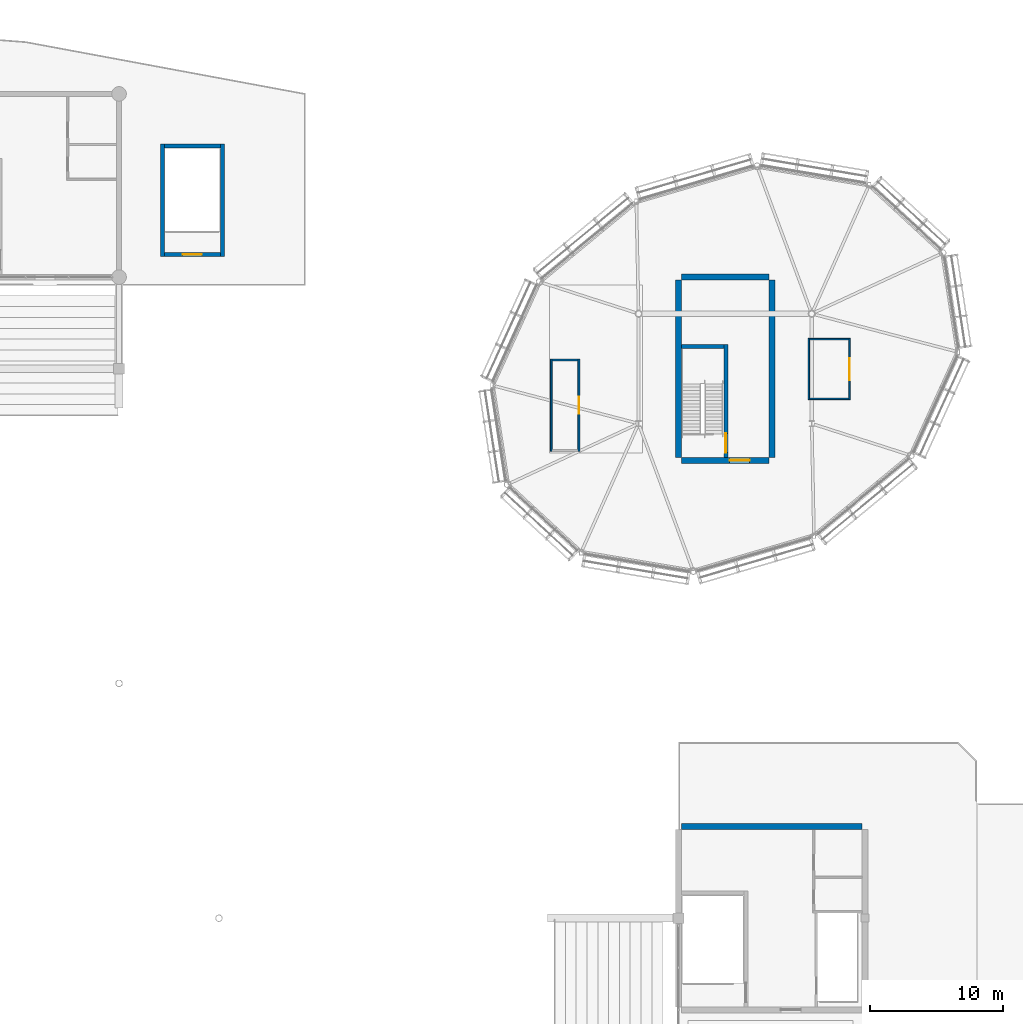
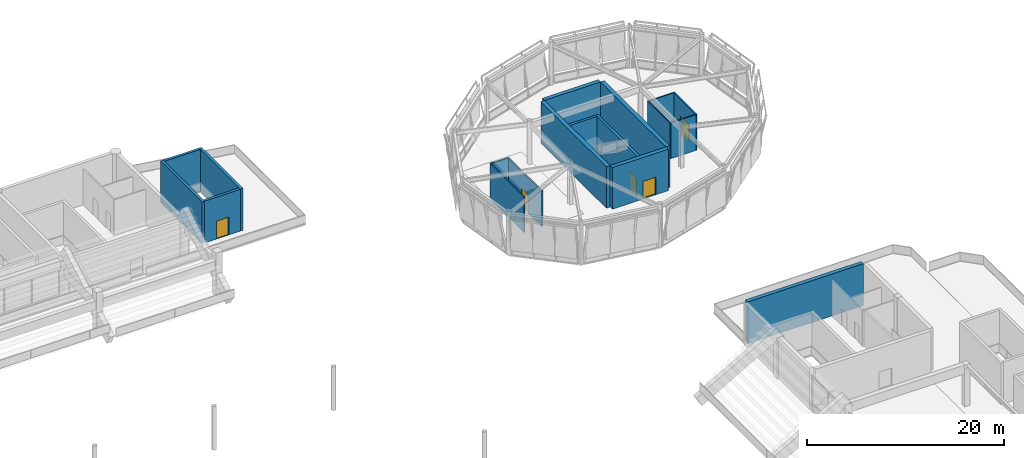
# One storey, part 78 of 90: 18 walls, 5 doors, 5 openings.
"""IFC4 building model written with IfcOpenShell, lengths in metres."""

from ifc_helpers import new_model, si_unit, direction, frame, frame_2d, origin, place, context, subcontext, project, spatial, rectangle, extrude, material, layer, layer_set, type_object, element, fill, save


model = new_model("IFC4")

# Units and contexts
model_context = context("Model", 3, precision=1e-05, world=origin(), true_north=direction((0.0, 1.0)))
body_context = subcontext(model_context, "Body", "Model", "MODEL_VIEW")
ifc_project = project(units=[si_unit("LENGTHUNIT", "METRE"), si_unit("AREAUNIT", "SQUARE_METRE"), si_unit("VOLUMEUNIT", "CUBIC_METRE"), si_unit("PLANEANGLEUNIT", "RADIAN"), si_unit("MASSUNIT", "GRAM", prefix="KILO")], contexts=[model_context])

# Site, building, storey
site_placement = place(None, origin())
site = spatial("IfcSite", under=ifc_project, at=site_placement, CompositionType="ELEMENT")
building_placement = place(site_placement, origin())
building = spatial("IfcBuilding", under=site, at=building_placement, Name="Linyun Crest Stadium", CompositionType="ELEMENT")
storey_placement = place(building_placement, frame((0.0, 0.0, 21.0)))
storey = spatial("IfcBuildingStorey", under=building, at=storey_placement, Name="L05", CompositionType="ELEMENT", Elevation=21.0)

# Walls
ifc_material_1 = material(Name="Concrete C50", Category="concrete")
ifc_layer_1 = layer(ifc_material_1, 0.449951171875)
ifc_layer_set_1 = layer_set([ifc_layer_1], Name="Concrete C50")
wall_type_1 = type_object("IfcWallType", Name="CW03", PredefinedType="SHEAR", material=ifc_layer_set_1)
wall_1_placement = place(storey_placement, frame((70.22509765625, 50.25, 0.0), z_axis=(0.0, 0.0, 1.0), x_axis=(1.0, 0.0, 0.0)))
element("IfcWall", 1, at=wall_1_placement, inside=storey, type_object=wall_type_1, Name="Core shear wall CW03 CORE-E3 L05.4", PredefinedType="SHEAR", context=body_context, shape_type="SweptSolid", body=[
    extrude(rectangle(XDim=13.5498046875, YDim=0.449951171875, at=frame_2d((6.77490234375, 0.0))), origin(), (0.0, 0.0, 1.0), 5.18505859375),
])
for number, where, z_axis, x_axis, name in (
    (2, (70.0, 77.97509765625, 0.0), (0.0, 0.0, 1.0), (0.0, 1.0, 0.0), "Core shear wall CW03 CORE-PNE L05.1"),
    (3, (77.0, 77.97509765625, 0.0), (0.0, 0.0, 1.0), (0.0, 1.0, 0.0), "Core shear wall CW03 CORE-PNE L05.2"),
):
    element("IfcWall", number, at=place(storey_placement, frame(where, z_axis=z_axis, x_axis=x_axis)), inside=storey, type_object=wall_type_1, Name=name, PredefinedType="SHEAR", context=body_context, shape_type="SweptSolid", body=[
        extrude(rectangle(XDim=13.2998046875, YDim=0.449951171875, at=frame_2d((6.64990234375, 0.0))), origin(), (0.0, 0.0, 1.0), 5.14990234375),
    ])

# Wall, opening, door
wall_2_placement = place(storey_placement, frame((70.22509765625, 77.75, 0.0), z_axis=(0.0, 0.0, 1.0), x_axis=(1.0, 0.0, 0.0)))
wall_2 = element("IfcWall", 4, at=wall_2_placement, inside=storey, type_object=wall_type_1, Name="Core shear wall CW03 CORE-PNE L05.3", PredefinedType="SHEAR", context=body_context, shape_type="SweptSolid", body=[
    extrude(rectangle(XDim=6.5498046875, YDim=0.449951171875, at=frame_2d((3.27490234375, 0.0))), origin(), (0.0, 0.0, 1.0), 5.14990234375),
])
opening_1_placement = place(wall_2_placement, frame((3.60302734375, 0.0, 0.0)))
opening_1 = element("IfcOpeningElement", 5, at=opening_1_placement, cuts=wall_2, Name="Opening D-L05-397", PredefinedType="OPENING", context=body_context, shape_type="SweptSolid", body=[
    extrude(rectangle(XDim=1.5, YDim=2.199951171875, at=frame_2d((0.75, 1.10009765625))), frame((0.0, 0.23486328125, 0.0), z_axis=(0.0, -1.0, 0.0), x_axis=(1.0, 0.0, 0.0)), (0.0, 0.0, 1.0), 0.469970703125),
])
ifc_material_2 = material(Name="Galvanized steel Class A fire door", Category="steel")
ifc_layer_2 = layer(ifc_material_2, 0.054931640625)
ifc_layer_set_2 = layer_set([ifc_layer_2], Name="Galvanized steel Class A fire door")
door_type_1 = type_object("IfcDoorType", Name="FD01", OperationType="NOTDEFINED", PredefinedType="DOOR", material=ifc_layer_set_2)
door_1_placement = place(opening_1_placement, origin())
door_1 = element("IfcDoor", 6, at=door_1_placement, inside=storey, type_object=door_type_1, Name="Door D-L05-397", OperationType="SINGLE_SWING_LEFT", OverallHeight=2.199951171875, OverallWidth=1.5, PredefinedType="DOOR", context=body_context, shape_type="SweptSolid", body=[
    extrude(rectangle(XDim=1.5, YDim=2.199951171875, at=frame_2d((0.75, 1.10009765625))), frame((0.0, 0.02490234375, 0.0), z_axis=(0.0, -1.0, 0.0), x_axis=(1.0, 0.0, 0.0)), (0.0, 0.0, 1.0), 0.050048828125),
])
fill(opening_1, door_1)

# Wall
wall_3_placement = place(storey_placement, frame((70.22509765625, 91.5, 0.0), z_axis=(0.0, 0.0, 1.0), x_axis=(1.0, 0.0, 0.0)))
element("IfcWall", 7, at=wall_3_placement, inside=storey, type_object=wall_type_1, Name="Core shear wall CW03 CORE-PNE L05.4", PredefinedType="SHEAR", context=body_context, shape_type="SweptSolid", body=[
    extrude(rectangle(XDim=6.5498046875, YDim=0.449951171875, at=frame_2d((3.27490234375, 0.0))), origin(), (0.0, 0.0, 1.0), 5.14990234375),
])

# Wall, opening, door
ifc_material_3 = material(Name="Impact-resistant community sports hall lining")
ifc_layer_3 = layer(ifc_material_3, 0.135009765625)
ifc_layer_set_3 = layer_set([ifc_layer_3], Name="Impact-resistant community sports hall lining")
wall_type_2 = type_object("IfcWallType", Name="PW19", PredefinedType="PARTITIONING", material=ifc_layer_set_3)
wall_4_placement = place(storey_placement, frame((62.52001953125, 85.342041015625, 0.0), z_axis=(0.0, 0.0, 1.0), x_axis=(0.0, -1.0, 0.0)))
wall_4 = element("IfcWall", 8, at=wall_4_placement, inside=storey, type_object=wall_type_2, Name="Partition PW19 L05 238", PredefinedType="PARTITIONING", context=body_context, shape_type="SweptSolid", body=[
    extrude(rectangle(XDim=6.919921875, YDim=0.135009765625, at=frame_2d((3.4599609375, 0.0))), origin(), (0.0, 0.0, 1.0), 4.419921875),
])
opening_2_placement = place(wall_4_placement, frame((2.81005859375, 0.0, 0.0)))
opening_2 = element("IfcOpeningElement", 9, at=opening_2_placement, cuts=wall_4, Name="Opening D-L05-501", PredefinedType="OPENING", context=body_context, shape_type="SweptSolid", body=[
    extrude(rectangle(XDim=1.300048828125, YDim=2.300048828125, at=frame_2d((0.64990234375, 1.14990234375))), frame((0.0, 0.077392578125, 0.0), z_axis=(0.0, -1.0, 0.0), x_axis=(1.0, 0.0, 0.0)), (0.0, 0.0, 1.0), 0.155029296875),
])
ifc_material_4 = material(Name="High-STC acoustic steel studio door", Category="steel")
ifc_layer_4 = layer(ifc_material_4, 0.06494140625)
ifc_layer_set_4 = layer_set([ifc_layer_4], Name="High-STC acoustic steel studio door")
door_type_2 = type_object("IfcDoorType", Name="ID08", OperationType="NOTDEFINED", PredefinedType="DOOR", material=ifc_layer_set_4)
door_2_placement = place(opening_2_placement, origin())
door_2 = element("IfcDoor", 10, at=door_2_placement, inside=storey, type_object=door_type_2, Name="Door D-L05-501", OperationType="SINGLE_SWING_LEFT", OverallHeight=2.300048828125, OverallWidth=1.300048828125, PredefinedType="DOOR", context=body_context, shape_type="SweptSolid", body=[
    extrude(rectangle(XDim=1.300048828125, YDim=2.300048828125, at=frame_2d((0.64990234375, 1.14990234375))), frame((0.0, 0.02490234375, 0.0), z_axis=(0.0, -1.0, 0.0), x_axis=(1.0, 0.0, 0.0)), (0.0, 0.0, 1.0), 0.050048828125),
])
fill(opening_2, door_2)

# Walls
wall_5_placement = place(storey_placement, frame((60.43994140625, 78.422119140625, 0.0), z_axis=(0.0, 0.0, 1.0), x_axis=(0.0, 1.0, 0.0)))
element("IfcWall", 11, at=wall_5_placement, inside=storey, type_object=wall_type_2, Name="Enclosure partition PW19 L05 430", PredefinedType="PARTITIONING", context=body_context, shape_type="SweptSolid", body=[
    extrude(rectangle(XDim=6.919921875, YDim=0.135009765625, at=frame_2d((3.4599609375, 0.0))), origin(), (0.0, 0.0, 1.0), 4.419921875),
])
wall_6_placement = place(storey_placement, frame((60.508056640625, 85.27392578125, 0.0), z_axis=(0.0, 0.0, 1.0), x_axis=(1.0, 0.0, 0.0)))
element("IfcWall", 12, at=wall_6_placement, inside=storey, type_object=wall_type_2, Name="Enclosure partition PW19 L05 432", PredefinedType="PARTITIONING", context=body_context, shape_type="SweptSolid", body=[
    extrude(rectangle(XDim=1.94384765625, YDim=0.135009765625, at=frame_2d((0.971923828125, 0.0))), origin(), (0.0, 0.0, 1.0), 4.419921875),
])

# Wall, opening, door
ifc_material_5 = material(Name="Glazed hospitality salon screen partition")
ifc_layer_5 = layer(ifc_material_5, 0.114990234375)
ifc_layer_set_5 = layer_set([ifc_layer_5], Name="Glazed hospitality salon screen partition")
wall_type_3 = type_object("IfcWallType", Name="PW21", PredefinedType="PARTITIONING", material=ifc_layer_set_5)
wall_7_placement = place(storey_placement, frame((82.845947265625, 86.89990234375, 0.0), z_axis=(0.0, 0.0, 1.0), x_axis=(0.0, -1.0, 0.0)))
wall_7 = element("IfcWall", 13, at=wall_7_placement, inside=storey, type_object=wall_type_3, Name="Partition PW21 L05 239", PredefinedType="PARTITIONING", context=body_context, shape_type="SweptSolid", body=[
    extrude(rectangle(XDim=4.599853515625, YDim=0.114990234375, at=frame_2d((2.2998046875, 0.0))), origin(), (0.0, 0.0, 1.0), 4.419921875),
])
opening_3_placement = place(wall_7_placement, frame((1.47509765625, 0.0, 0.0)))
opening_3 = element("IfcOpeningElement", 14, at=opening_3_placement, cuts=wall_7, Name="Opening D-L05-502", PredefinedType="OPENING", context=body_context, shape_type="SweptSolid", body=[
    extrude(rectangle(XDim=1.64990234375, YDim=2.300048828125, at=frame_2d((0.824951171875, 1.14990234375))), frame((0.0, 0.0673828125, 0.0), z_axis=(0.0, -1.0, 0.0), x_axis=(1.0, 0.0, 0.0)), (0.0, 0.0, 1.0), 0.135009765625),
])
ifc_material_6 = material(Name="Double-leaf acoustic timber door", Category="wood")
ifc_layer_6 = layer(ifc_material_6, 0.050048828125)
ifc_layer_set_6 = layer_set([ifc_layer_6], Name="Double-leaf acoustic timber door")
door_type_3 = type_object("IfcDoorType", Name="ID09", OperationType="NOTDEFINED", PredefinedType="DOOR", material=ifc_layer_set_6)
door_3_placement = place(opening_3_placement, origin())
door_3 = element("IfcDoor", 15, at=door_3_placement, inside=storey, type_object=door_type_3, Name="Door D-L05-502", OperationType="SINGLE_SWING_RIGHT", OverallHeight=2.300048828125, OverallWidth=1.64990234375, PredefinedType="DOOR", context=body_context, shape_type="SweptSolid", body=[
    extrude(rectangle(XDim=1.64990234375, YDim=2.300048828125, at=frame_2d((0.824951171875, 1.14990234375))), frame((0.0, 0.02490234375, 0.0), z_axis=(0.0, -1.0, 0.0), x_axis=(1.0, 0.0, 0.0)), (0.0, 0.0, 1.0), 0.050048828125),
])
fill(opening_3, door_3)

# Walls
wall_8_placement = place(storey_placement, frame((79.785888671875, 82.300048828125, 0.0), z_axis=(0.0, 0.0, 1.0), x_axis=(0.0, 1.0, 0.0)))
element("IfcWall", 16, at=wall_8_placement, inside=storey, type_object=wall_type_3, Name="Enclosure partition PW21 L05 433", PredefinedType="PARTITIONING", context=body_context, shape_type="SweptSolid", body=[
    extrude(rectangle(XDim=4.599853515625, YDim=0.114990234375, at=frame_2d((2.2998046875, 0.0))), origin(), (0.0, 0.0, 1.0), 4.419921875),
])
for number, where, z_axis, x_axis, name in (
    (17, (79.843994140625, 82.35791015625, 0.0), (0.0, 0.0, 1.0), (1.0, 0.0, 0.0), "Enclosure partition PW21 L05 434"),
    (18, (79.843994140625, 86.842041015625, 0.0), (0.0, 0.0, 1.0), (1.0, 0.0, 0.0), "Enclosure partition PW21 L05 435"),
):
    element("IfcWall", number, at=place(storey_placement, frame(where, z_axis=z_axis, x_axis=x_axis)), inside=storey, type_object=wall_type_3, Name=name, PredefinedType="PARTITIONING", context=body_context, shape_type="SweptSolid", body=[
        extrude(rectangle(XDim=2.944091796875, YDim=0.114990234375, at=frame_2d((1.47216796875, 0.0))), origin(), (0.0, 0.0, 1.0), 4.419921875),
    ])

# Wall, opening, door
ifc_material_7 = material(Name="Concrete C50", Category="concrete")
ifc_layer_7 = layer(ifc_material_7, 0.300048828125)
ifc_layer_set_7 = layer_set([ifc_layer_7], Name="Concrete C50")
wall_type_4 = type_object("IfcWallType", Name="SW01", PredefinedType="SHEAR", material=ifc_layer_set_7)
wall_9_placement = place(storey_placement, frame((73.550048828125, 77.97509765625, 0.0), z_axis=(0.0, 0.0, 1.0), x_axis=(0.0, 1.0, 0.0)))
wall_9 = element("IfcWall", 19, at=wall_9_placement, inside=storey, type_object=wall_type_4, Name="Core stair east bearing wall SW01 12 L05", PredefinedType="SHEAR", context=body_context, shape_type="SweptSolid", body=[
    extrude(rectangle(XDim=8.474853515625, YDim=0.300048828125, at=frame_2d((4.2373046875, 0.0))), origin(), (0.0, 0.0, 1.0), 5.14990234375),
])
opening_4_placement = place(wall_9_placement, frame((0.344970703125, 0.0, 0.0)))
opening_4 = element("IfcOpeningElement", 20, at=opening_4_placement, cuts=wall_9, Name="Opening D-L05-398", PredefinedType="OPENING", context=body_context, shape_type="SweptSolid", body=[
    extrude(rectangle(XDim=1.449951171875, YDim=2.199951171875, at=frame_2d((0.72509765625, 1.10009765625))), frame((0.0, 0.159912109375, 0.0), z_axis=(0.0, -1.0, 0.0), x_axis=(1.0, 0.0, 0.0)), (0.0, 0.0, 1.0), 0.320068359375),
])
ifc_material_8 = material(Name="Galvanized steel Class A fire door", Category="steel")
ifc_layer_8 = layer(ifc_material_8, 0.054931640625)
ifc_layer_set_8 = layer_set([ifc_layer_8], Name="Galvanized steel Class A fire door")
door_type_4 = type_object("IfcDoorType", Name="FD02", OperationType="NOTDEFINED", PredefinedType="DOOR", material=ifc_layer_set_8)
door_4_placement = place(opening_4_placement, origin())
door_4 = element("IfcDoor", 21, at=door_4_placement, inside=storey, type_object=door_type_4, Name="Door D-L05-398", OperationType="SINGLE_SWING_RIGHT", OverallHeight=2.199951171875, OverallWidth=1.449951171875, PredefinedType="DOOR", context=body_context, shape_type="SweptSolid", body=[
    extrude(rectangle(XDim=1.449951171875, YDim=2.199951171875, at=frame_2d((0.72509765625, 1.10009765625))), frame((0.0, 0.02490234375, 0.0), z_axis=(0.0, -1.0, 0.0), x_axis=(1.0, 0.0, 0.0)), (0.0, 0.0, 1.0), 0.050048828125),
])
fill(opening_4, door_4)

# Wall
wall_10_placement = place(storey_placement, frame((70.22509765625, 86.300048828125, 0.0), z_axis=(0.0, 0.0, 1.0), x_axis=(1.0, 0.0, 0.0)))
element("IfcWall", 22, at=wall_10_placement, inside=storey, type_object=wall_type_4, Name="Core stair bearing wall SW01 12 L05", PredefinedType="SHEAR", context=body_context, shape_type="SweptSolid", body=[
    extrude(rectangle(XDim=3.1748046875, YDim=0.300048828125, at=frame_2d((1.58740234375, 0.0))), origin(), (0.0, 0.0, 1.0), 5.14990234375),
])

# Wall, opening, door
wall_11_placement = place(storey_placement, frame((31.39990234375, 93.199951171875, 0.0), z_axis=(0.0, 0.0, 1.0), x_axis=(1.0, 0.0, 0.0)))
wall_11 = element("IfcWall", 23, at=wall_11_placement, inside=storey, type_object=wall_type_4, Name="Stair shaft wall SW01 STR-26 L05 S", PredefinedType="SHEAR", context=body_context, shape_type="SweptSolid", body=[
    extrude(rectangle(XDim=4.2001953125, YDim=0.300048828125, at=frame_2d((2.10009765625, 0.0))), origin(), (0.0, 0.0, 1.0), 5.18505859375),
])
opening_5_placement = place(wall_11_placement, frame((1.375, 0.0, 0.0)))
opening_5 = element("IfcOpeningElement", 24, at=opening_5_placement, cuts=wall_11, Name="Opening D-L05-615", PredefinedType="OPENING", context=body_context, shape_type="SweptSolid", body=[
    extrude(rectangle(XDim=1.449951171875, YDim=2.199951171875, at=frame_2d((0.72509765625, 1.10009765625))), frame((0.0, 0.159912109375, 0.0), z_axis=(0.0, -1.0, 0.0), x_axis=(1.0, 0.0, 0.0)), (0.0, 0.0, 1.0), 0.320068359375),
])
door_5_placement = place(opening_5_placement, origin())
door_5 = element("IfcDoor", 25, at=door_5_placement, inside=storey, type_object=door_type_4, Name="Door D-L05-615", OperationType="SINGLE_SWING_LEFT", OverallHeight=2.199951171875, OverallWidth=1.449951171875, PredefinedType="DOOR", context=body_context, shape_type="SweptSolid", body=[
    extrude(rectangle(XDim=1.449951171875, YDim=2.199951171875, at=frame_2d((0.72509765625, 1.10009765625))), frame((0.0, 0.02490234375, 0.0), z_axis=(0.0, -1.0, 0.0), x_axis=(1.0, 0.0, 0.0)), (0.0, 0.0, 1.0), 0.050048828125),
])
fill(opening_5, door_5)

# Walls
wall_12_placement = place(storey_placement, frame((31.39990234375, 101.35009765625, 0.0), z_axis=(0.0, 0.0, 1.0), x_axis=(1.0, 0.0, 0.0)))
element("IfcWall", 26, at=wall_12_placement, inside=storey, type_object=wall_type_4, Name="Stair shaft wall SW01 STR-26 L05 N", PredefinedType="SHEAR", context=body_context, shape_type="SweptSolid", body=[
    extrude(rectangle(XDim=4.2001953125, YDim=0.300048828125, at=frame_2d((2.10009765625, 0.0))), origin(), (0.0, 0.0, 1.0), 5.18505859375),
])
for number, where, z_axis, x_axis, name in (
    (27, (31.25, 93.050048828125, 0.0), (0.0, 0.0, 1.0), (0.0, 1.0, 0.0), "Stair shaft wall SW01 STR-26 L05 W"),
    (28, (35.75, 93.050048828125, 0.0), (0.0, 0.0, 1.0), (0.0, 1.0, 0.0), "Stair shaft wall SW01 STR-26 L05 E"),
):
    element("IfcWall", number, at=place(storey_placement, frame(where, z_axis=z_axis, x_axis=x_axis)), inside=storey, type_object=wall_type_4, Name=name, PredefinedType="SHEAR", context=body_context, shape_type="SweptSolid", body=[
        extrude(rectangle(XDim=8.449951171875, YDim=0.300048828125, at=frame_2d((4.22509765625, 0.0))), origin(), (0.0, 0.0, 1.0), 5.18505859375),
    ])

save(model, "model.ifc")
